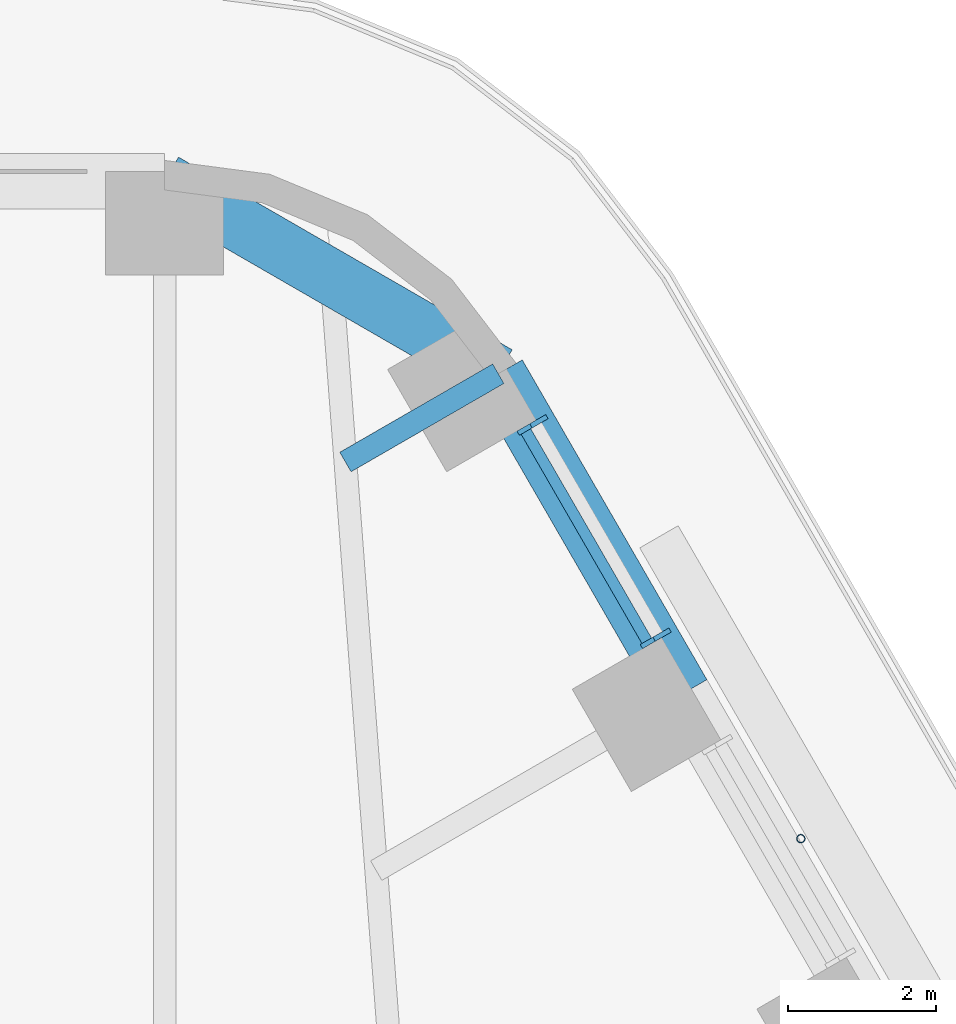
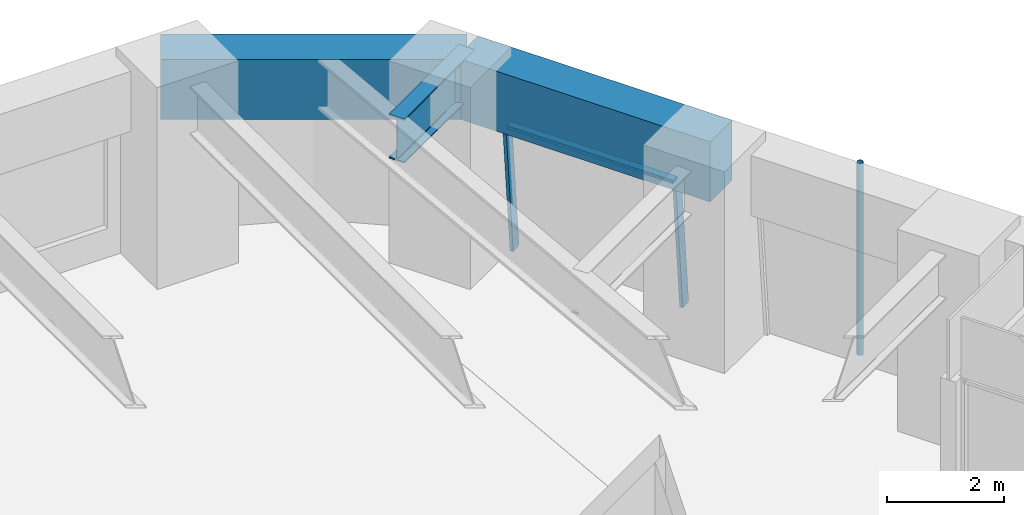
# One storey, part 13 of 24: 4 members, 3 beams, 1 element without a shape of its own.
"""IFC4 building model written with IfcOpenShell, lengths in metres."""

from ifc_helpers import new_model, si_unit, direction, frame, origin, origin_2d, place, context, subcontext, project, spatial, rectangle, hollow_circle, i_section, extrude, material, material_profile, profile_set, type_object, element, aggregate, save


model = new_model("IFC4")

# Units and contexts
model_context = context("Model", 3, precision=1e-05, world=origin(), true_north=direction((0.0, 1.0)))
body_context = subcontext(model_context, "Body", "Model", "MODEL_VIEW")
ifc_project = project(units=[si_unit("LENGTHUNIT", "METRE"), si_unit("AREAUNIT", "SQUARE_METRE"), si_unit("VOLUMEUNIT", "CUBIC_METRE"), si_unit("PLANEANGLEUNIT", "RADIAN"), si_unit("MASSUNIT", "GRAM", prefix="KILO")], contexts=[model_context])

# Site, building, storey
site_placement = place(None, origin())
site = spatial("IfcSite", under=ifc_project, at=site_placement, CompositionType="ELEMENT")
building_placement = place(site_placement, origin())
building = spatial("IfcBuilding", under=site, at=building_placement, Name="Tarfa Lantern Tower", CompositionType="ELEMENT")
storey_placement = place(building_placement, frame((0.0, 0.0, 174.10009765625)))
storey = spatial("IfcBuildingStorey", under=building, at=storey_placement, Name="L39", CompositionType="ELEMENT", Elevation=174.10009765625)

# Curtain wall, members
ifc_material_1 = material(Name="Aluminium framed curtain wall", Category="aluminium")
curtain_wall_type = type_object("IfcCurtainWallType", Name="CW2 CANTED GLAZING MID ZONE 2750", PredefinedType="USERDEFINED", material=ifc_material_1)
curtain_wall_placement = place(storey_placement, origin())
curtain_wall = element("IfcCurtainWall", 1, at=curtain_wall_placement, inside=storey, type_object=curtain_wall_type, Name="CW2 NEB L39", ObjectType="CURTAIN WALL", PredefinedType="USERDEFINED")
ifc_material_2 = material(Name="Aluminium mullion", Category="aluminium")
ifc_material_profile_1 = material_profile(ifc_material_2, rectangle(XDim=0.06494140625, YDim=0.199951171875, at=origin_2d()), Name="AL MULLION 65x200")
ifc_profile_set_1 = profile_set([ifc_material_profile_1], Name="Aluminium mullion")
member_type_1 = type_object("IfcMemberType", Name="CWM1 MULLION 65x200", PredefinedType="MULLION", material=ifc_profile_set_1)
member_1_placement = place(storey_placement, frame((21.773193359375, 25.087646484375, 0.0), z_axis=(-0.078422950161, -0.045267813396, 0.995891894715), x_axis=(0.499919672301, -0.866071776036, 0.0)))
member_1 = element("IfcMember", 2, at=member_1_placement, type_object=member_type_1, Name="CW2 mullion 1", PredefinedType="MULLION", context=body_context, shape_type="SweptSolid", body=[
    extrude(rectangle(XDim=0.06494140625, YDim=0.199951171875, at=origin_2d()), origin(), (0.0, 0.0, 1.0), 2.76123046875),
])
member_2_placement = place(storey_placement, frame((20.10400390625, 27.97900390625, 0.0), z_axis=(-0.078422950161, -0.045267813396, 0.995891894715), x_axis=(0.499919672301, -0.866071776036, 0.0)))
member_2 = element("IfcMember", 3, at=member_2_placement, type_object=member_type_1, Name="CW2 mullion 2", PredefinedType="MULLION", context=body_context, shape_type="SweptSolid", body=[
    extrude(rectangle(XDim=0.06494140625, YDim=0.199951171875, at=origin_2d()), origin(), (0.0, 0.0, 1.0), 2.76123046875),
])
ifc_material_3 = material(Name="Aluminium transom", Category="aluminium")
ifc_material_profile_2 = material_profile(ifc_material_3, rectangle(XDim=0.14990234375, YDim=0.06494140625, at=origin_2d()), Name="AL TRANSOM 150x65")
ifc_profile_set_2 = profile_set([ifc_material_profile_2], Name="Aluminium transom")
member_type_2 = type_object("IfcMemberType", Name="CWT1 TRANSOM 150x65", PredefinedType="USERDEFINED", material=ifc_profile_set_2)
member_3_placement = place(storey_placement, frame((21.54296875, 24.9921875, 2.71728515625), z_axis=(-0.499957005835, 0.866050225054, 0.0), x_axis=(-0.866050225054, -0.499957005835, 0.0)))
member_3 = element("IfcMember", 4, at=member_3_placement, type_object=member_type_2, Name="CW2 transom 1.2", ObjectType="TRANSOM", PredefinedType="USERDEFINED", context=body_context, shape_type="SweptSolid", body=[
    extrude(rectangle(XDim=0.14990234375, YDim=0.06494140625, at=origin_2d()), origin(), (0.0, 0.0, 1.0), 3.273681640625),
])
aggregate(curtain_wall, [member_1, member_2, member_3])

# Beams
ifc_material_4 = material(Name="Concrete C80/95", Category="concrete")
ifc_material_profile_3 = material_profile(ifc_material_4, rectangle(XDim=0.75, YDim=1.25, at=origin_2d()), Name="RC 750x1250")
ifc_profile_set_3 = profile_set([ifc_material_profile_3], Name="Concrete C80/95")
beam_type_1 = type_object("IfcBeamType", Name="EB2 RC 750x1250", PredefinedType="SPANDREL", material=ifc_profile_set_3)
beam_1_placement = place(storey_placement, frame((22.03369140625, 24.276611328125, 3.375), z_axis=(-0.500001197378, 0.866024712477, 0.0), x_axis=(-0.866024712477, -0.500001197378, 0.0)))
element("IfcBeam", 5, at=beam_1_placement, inside=storey, type_object=beam_type_1, Name="Edge beam NE5", PredefinedType="SPANDREL", context=body_context, shape_type="SweptSolid", body=[
    extrude(rectangle(XDim=0.75, YDim=1.25, at=origin_2d()), origin(), (0.0, 0.0, 1.0), 5.00390625),
])
beam_2_placement = place(storey_placement, frame((19.53173828125, 28.610107421875, 3.375), z_axis=(-0.86604150238, 0.499972115377, 0.0), x_axis=(-0.499972115377, -0.86604150238, 0.0)))
element("IfcBeam", 6, at=beam_2_placement, inside=storey, type_object=beam_type_1, Name="Edge beam NE6", PredefinedType="SPANDREL", context=body_context, shape_type="SweptSolid", body=[
    extrude(rectangle(XDim=0.75, YDim=1.25, at=origin_2d()), origin(), (0.0, 0.0, 1.0), 5.219970703125),
])

# Member
ifc_material_5 = material(Name="Steel S355", Category="steel")
ifc_material_profile_4 = material_profile(ifc_material_5, hollow_circle(Radius=0.05712890625, WallThickness=0.00634765625, at=origin_2d()), Name="CHS114.3x6.3")
ifc_profile_set_4 = profile_set([ifc_material_profile_4], Name="Steel S355")
member_type_3 = type_object("IfcMemberType", Name="TR1 GREEN WALL TRELLIS CHS114.3x6.3", PredefinedType="USERDEFINED", material=ifc_profile_set_4)
member_4_placement = place(storey_placement, frame((23.630859375, 22.31005859375, 0.0), z_axis=(0.0, 0.0, 1.0), x_axis=(1.0, 0.0, 0.0)))
element("IfcMember", 7, at=member_4_placement, inside=storey, type_object=member_type_3, Name="Trellis post NE 2", ObjectType="TRELLIS", PredefinedType="USERDEFINED", context=body_context, shape_type="SweptSolid", body=[
    extrude(hollow_circle(Radius=0.05712890625, WallThickness=0.00634765625, at=origin_2d()), origin(), (0.0, 0.0, 1.0), 4.0),
])

# Beam
ifc_material_6 = material(Name="Steel S460M", Category="steel")
ifc_material_profile_5 = material_profile(ifc_material_6, i_section(OverallWidth=0.305419921875, OverallDepth=0.91845703125, WebThickness=0.017333984375, FlangeThickness=0.02783203125, FilletRadius=0.01904296875, at=origin_2d()), Name="UB914x305x253")
ifc_profile_set_5 = profile_set([ifc_material_profile_5], Name="Steel S460M")
beam_type_2 = type_object("IfcBeamType", Name="UB914x305x253", PredefinedType="BEAM", material=ifc_profile_set_5)
beam_3_placement = place(storey_placement, frame((19.53173828125, 28.610107421875, 3.540771484375), z_axis=(-0.865998640954, -0.500046351717, 0.0), x_axis=(0.500046351717, -0.865998640954, 0.0)))
element("IfcBeam", 8, at=beam_3_placement, inside=storey, type_object=beam_type_2, Name="Floor beam NE6", PredefinedType="BEAM", context=body_context, shape_type="SweptSolid", body=[
    extrude(i_section(OverallWidth=0.305419921875, OverallDepth=0.91845703125, WebThickness=0.017333984375, FlangeThickness=0.02783203125, FilletRadius=0.01904296875, at=origin_2d()), origin(), (0.0, 0.0, 1.0), 2.392333984375),
])

save(model, "model.ifc")
